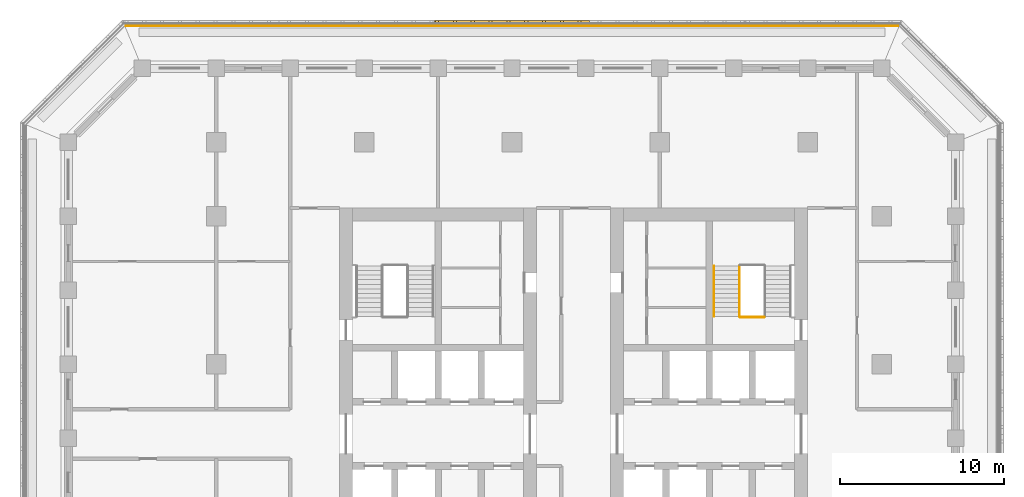
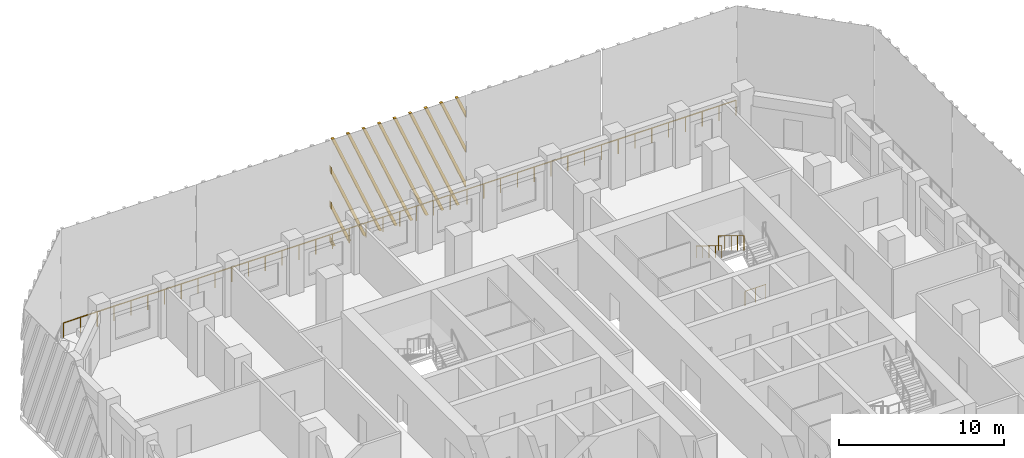
# One storey, part 14 of 16: 4 railings, 1 shading device.
"""IFC4 building model written with IfcOpenShell, lengths in metres."""

from ifc_helpers import new_model, si_unit, direction, frame, origin, origin_2d, place, context, subcontext, project, spatial, polyline, circle, outline, extrude, source, transform, mapped, material, type_object, element, save


model = new_model("IFC4")

# Units and contexts
model_context = context("Model", 3, precision=1e-05, world=origin(), true_north=direction((0.0, 1.0)))
body_context = subcontext(model_context, "Body", "Model", "MODEL_VIEW")
ifc_project = project(units=[si_unit("LENGTHUNIT", "METRE"), si_unit("AREAUNIT", "SQUARE_METRE"), si_unit("VOLUMEUNIT", "CUBIC_METRE"), si_unit("PLANEANGLEUNIT", "RADIAN"), si_unit("MASSUNIT", "GRAM", prefix="KILO")], contexts=[model_context])

# Site, building, storey
site_placement = place(None, origin())
site = spatial("IfcSite", under=ifc_project, at=site_placement, CompositionType="ELEMENT")
building_placement = place(site_placement, origin())
building = spatial("IfcBuilding", under=site, at=building_placement, Name="Corbel Stack Research Tower", CompositionType="ELEMENT")
storey_placement = place(building_placement, frame((0.0, 0.0, 173.199951171875)))
storey = spatial("IfcBuildingStorey", under=building, at=storey_placement, Name="L39", CompositionType="ELEMENT", Elevation=173.199951171875)

# Railings
ifc_material_1 = material(Name="Steel S355", Category="steel")
railing_type_1 = type_object("IfcRailingType", Name="Stair guard 1100", PredefinedType="GUARDRAIL", material=ifc_material_1)
railing_1_placement = place(storey_placement, frame((13.85009765625, 14.97998046875, 2.220947265625)))
element("IfcRailing", 1, at=railing_1_placement, inside=storey, type_object=railing_type_1, Name="L39 ST-E2 stair guard 4", PredefinedType="GUARDRAIL", context=body_context, shape_type="SweptSolid", body=[
    extrude(circle(Radius=0.02392578125, at=origin_2d()), frame((0.0, 0.0, 1.076171875), z_axis=(0.0, -0.853666305674, 0.52082035152), x_axis=(1.0, 0.0, 0.0)), (0.0, 0.0, 1.0), 3.608154296875),
    extrude(circle(Radius=0.02099609375, at=origin_2d()), origin(), (0.0, 0.0, 1.0), 1.052001953125),
    extrude(circle(Radius=0.02099609375, at=origin_2d()), frame((0.0, -0.77001953125, 0.4697265625)), (0.0, 0.0, 1.0), 1.052001953125),
    extrude(circle(Radius=0.02099609375, at=origin_2d()), frame((0.0, -1.5400390625, 0.939453125)), (0.0, 0.0, 1.0), 1.052001953125),
    extrude(circle(Radius=0.02099609375, at=origin_2d()), frame((0.0, -2.31005859375, 1.409423828125)), (0.0, 0.0, 1.0), 1.052001953125),
    extrude(circle(Radius=0.02099609375, at=origin_2d()), frame((0.0, -3.080078125, 1.879150390625)), (0.0, 0.0, 1.0), 1.052001953125),
])
railing_2_placement = place(storey_placement, frame((15.35009765625, 11.85009765625, 0.0)))
element("IfcRailing", 2, at=railing_2_placement, inside=storey, type_object=railing_type_1, Name="L39 ST-E2 stair guard 5", PredefinedType="GUARDRAIL", context=body_context, shape_type="SweptSolid", body=[
    extrude(circle(Radius=0.02392578125, at=origin_2d()), frame((0.0, 0.0, 1.076171875), z_axis=(-1.0, 0.0, 0.0), x_axis=(0.0, -1.0, 0.0)), (0.0, 0.0, 1.0), 1.4501953125),
    extrude(circle(Radius=0.02099609375, at=origin_2d()), origin(), (0.0, 0.0, 1.0), 1.052001953125),
    extrude(circle(Radius=0.02099609375, at=origin_2d()), frame((-0.72509765625, 0.0, 0.0)), (0.0, 0.0, 1.0), 1.052001953125),
    extrude(circle(Radius=0.02099609375, at=origin_2d()), frame((-1.4501953125, 0.0, 0.0)), (0.0, 0.0, 1.0), 1.052001953125),
])
ifc_material_2 = material(Name="Steel S355", Category="steel")
railing_type_2 = type_object("IfcRailingType", Name="Stair handrail 900", PredefinedType="HANDRAIL", material=ifc_material_2)
railing_3_placement = place(storey_placement, frame((12.300048828125, 14.97998046875, 2.220947265625)))
element("IfcRailing", 3, at=railing_3_placement, inside=storey, type_object=railing_type_2, Name="L39 ST-E2 stair handrail 2", PredefinedType="HANDRAIL", context=body_context, shape_type="SweptSolid", body=[
    extrude(circle(Radius=0.02392578125, at=origin_2d()), frame((0.0, 0.0, 0.8759765625), z_axis=(0.0, -0.853666305674, 0.52082035152), x_axis=(1.0, 0.0, 0.0)), (0.0, 0.0, 1.0), 3.608154296875),
    extrude(circle(Radius=0.02099609375, at=origin_2d()), origin(), (0.0, 0.0, 1.0), 0.851806640625),
    extrude(circle(Radius=0.02099609375, at=origin_2d()), frame((0.0, -0.77001953125, 0.4697265625)), (0.0, 0.0, 1.0), 0.851806640625),
    extrude(circle(Radius=0.02099609375, at=origin_2d()), frame((0.0, -1.5400390625, 0.939453125)), (0.0, 0.0, 1.0), 0.851806640625),
    extrude(circle(Radius=0.02099609375, at=origin_2d()), frame((0.0, -2.31005859375, 1.409423828125)), (0.0, 0.0, 1.0), 0.851806640625),
    extrude(circle(Radius=0.02099609375, at=origin_2d()), frame((0.0, -3.080078125, 1.879150390625)), (0.0, 0.0, 1.0), 0.851806640625),
])
ifc_material_3 = material(Name="Powder-coated steel guard", Category="steel")
railing_type_3 = type_object("IfcRailingType", Name="Steel and glass guard 1100", PredefinedType="GUARDRAIL", material=ifc_material_3)
railing_4_placement = place(storey_placement, frame((23.50537109375, 29.60009765625, 0.0)))
element("IfcRailing", 4, at=railing_4_placement, inside=storey, type_object=railing_type_3, Name="Loggia guard L39 N", PredefinedType="GUARDRAIL", context=body_context, shape_type="SweptSolid", body=[
    extrude(circle(Radius=0.02392578125, at=origin_2d()), frame((0.0, 0.0, 1.076171875), z_axis=(-1.0, 0.0, 0.0), x_axis=(0.0, -1.0, 0.0)), (0.0, 0.0, 1.0), 47.0107421875),
    extrude(circle(Radius=0.02099609375, at=origin_2d()), origin(), (0.0, 0.0, 1.0), 1.052001953125),
    extrude(circle(Radius=0.02099609375, at=origin_2d()), frame((-1.17529296875, 0.0, 0.0)), (0.0, 0.0, 1.0), 1.052001953125),
    extrude(circle(Radius=0.02099609375, at=origin_2d()), frame((-2.3505859375, 0.0, 0.0)), (0.0, 0.0, 1.0), 1.052001953125),
    extrude(circle(Radius=0.02099609375, at=origin_2d()), frame((-3.52587890625, 0.0, 0.0)), (0.0, 0.0, 1.0), 1.052001953125),
    extrude(circle(Radius=0.02099609375, at=origin_2d()), frame((-4.701171875, 0.0, 0.0)), (0.0, 0.0, 1.0), 1.052001953125),
    extrude(circle(Radius=0.02099609375, at=origin_2d()), frame((-5.87646484375, 0.0, 0.0)), (0.0, 0.0, 1.0), 1.052001953125),
    extrude(circle(Radius=0.02099609375, at=origin_2d()), frame((-7.051513671875, 0.0, 0.0)), (0.0, 0.0, 1.0), 1.052001953125),
    extrude(circle(Radius=0.02099609375, at=origin_2d()), frame((-8.226806640625, 0.0, 0.0)), (0.0, 0.0, 1.0), 1.052001953125),
    extrude(circle(Radius=0.02099609375, at=origin_2d()), frame((-9.402099609375, 0.0, 0.0)), (0.0, 0.0, 1.0), 1.052001953125),
    extrude(circle(Radius=0.02099609375, at=origin_2d()), frame((-10.577392578125, 0.0, 0.0)), (0.0, 0.0, 1.0), 1.052001953125),
    extrude(circle(Radius=0.02099609375, at=origin_2d()), frame((-11.752685546875, 0.0, 0.0)), (0.0, 0.0, 1.0), 1.052001953125),
    extrude(circle(Radius=0.02099609375, at=origin_2d()), frame((-12.927978515625, 0.0, 0.0)), (0.0, 0.0, 1.0), 1.052001953125),
    extrude(circle(Radius=0.02099609375, at=origin_2d()), frame((-14.103271484375, 0.0, 0.0)), (0.0, 0.0, 1.0), 1.052001953125),
    extrude(circle(Radius=0.02099609375, at=origin_2d()), frame((-15.278564453125, 0.0, 0.0)), (0.0, 0.0, 1.0), 1.052001953125),
    extrude(circle(Radius=0.02099609375, at=origin_2d()), frame((-16.453857421875, 0.0, 0.0)), (0.0, 0.0, 1.0), 1.052001953125),
    extrude(circle(Radius=0.02099609375, at=origin_2d()), frame((-17.62890625, 0.0, 0.0)), (0.0, 0.0, 1.0), 1.052001953125),
    extrude(circle(Radius=0.02099609375, at=origin_2d()), frame((-18.80419921875, 0.0, 0.0)), (0.0, 0.0, 1.0), 1.052001953125),
    extrude(circle(Radius=0.02099609375, at=origin_2d()), frame((-19.9794921875, 0.0, 0.0)), (0.0, 0.0, 1.0), 1.052001953125),
    extrude(circle(Radius=0.02099609375, at=origin_2d()), frame((-21.15478515625, 0.0, 0.0)), (0.0, 0.0, 1.0), 1.052001953125),
    extrude(circle(Radius=0.02099609375, at=origin_2d()), frame((-22.330078125, 0.0, 0.0)), (0.0, 0.0, 1.0), 1.052001953125),
    extrude(circle(Radius=0.02099609375, at=origin_2d()), frame((-23.50537109375, 0.0, 0.0)), (0.0, 0.0, 1.0), 1.052001953125),
    extrude(circle(Radius=0.02099609375, at=origin_2d()), frame((-24.6806640625, 0.0, 0.0)), (0.0, 0.0, 1.0), 1.052001953125),
    extrude(circle(Radius=0.02099609375, at=origin_2d()), frame((-25.85595703125, 0.0, 0.0)), (0.0, 0.0, 1.0), 1.052001953125),
    extrude(circle(Radius=0.02099609375, at=origin_2d()), frame((-27.03125, 0.0, 0.0)), (0.0, 0.0, 1.0), 1.052001953125),
    extrude(circle(Radius=0.02099609375, at=origin_2d()), frame((-28.20654296875, 0.0, 0.0)), (0.0, 0.0, 1.0), 1.052001953125),
    extrude(circle(Radius=0.02099609375, at=origin_2d()), frame((-29.3818359375, 0.0, 0.0)), (0.0, 0.0, 1.0), 1.052001953125),
    extrude(circle(Radius=0.02099609375, at=origin_2d()), frame((-30.556884765625, 0.0, 0.0)), (0.0, 0.0, 1.0), 1.052001953125),
    extrude(circle(Radius=0.02099609375, at=origin_2d()), frame((-31.732177734375, 0.0, 0.0)), (0.0, 0.0, 1.0), 1.052001953125),
    extrude(circle(Radius=0.02099609375, at=origin_2d()), frame((-32.907470703125, 0.0, 0.0)), (0.0, 0.0, 1.0), 1.052001953125),
    extrude(circle(Radius=0.02099609375, at=origin_2d()), frame((-34.082763671875, 0.0, 0.0)), (0.0, 0.0, 1.0), 1.052001953125),
    extrude(circle(Radius=0.02099609375, at=origin_2d()), frame((-35.258056640625, 0.0, 0.0)), (0.0, 0.0, 1.0), 1.052001953125),
    extrude(circle(Radius=0.02099609375, at=origin_2d()), frame((-36.433349609375, 0.0, 0.0)), (0.0, 0.0, 1.0), 1.052001953125),
    extrude(circle(Radius=0.02099609375, at=origin_2d()), frame((-37.608642578125, 0.0, 0.0)), (0.0, 0.0, 1.0), 1.052001953125),
    extrude(circle(Radius=0.02099609375, at=origin_2d()), frame((-38.783935546875, 0.0, 0.0)), (0.0, 0.0, 1.0), 1.052001953125),
    extrude(circle(Radius=0.02099609375, at=origin_2d()), frame((-39.959228515625, 0.0, 0.0)), (0.0, 0.0, 1.0), 1.052001953125),
    extrude(circle(Radius=0.02099609375, at=origin_2d()), frame((-41.13427734375, 0.0, 0.0)), (0.0, 0.0, 1.0), 1.052001953125),
    extrude(circle(Radius=0.02099609375, at=origin_2d()), frame((-42.3095703125, 0.0, 0.0)), (0.0, 0.0, 1.0), 1.052001953125),
    extrude(circle(Radius=0.02099609375, at=origin_2d()), frame((-43.48486328125, 0.0, 0.0)), (0.0, 0.0, 1.0), 1.052001953125),
    extrude(circle(Radius=0.02099609375, at=origin_2d()), frame((-44.66015625, 0.0, 0.0)), (0.0, 0.0, 1.0), 1.052001953125),
    extrude(circle(Radius=0.02099609375, at=origin_2d()), frame((-45.83544921875, 0.0, 0.0)), (0.0, 0.0, 1.0), 1.052001953125),
    extrude(circle(Radius=0.02099609375, at=origin_2d()), frame((-47.0107421875, 0.0, 0.0)), (0.0, 0.0, 1.0), 1.052001953125),
])

# Shading device
ifc_material_4 = material(Name="Precast terracotta", Category="masonry")
shading_device_type = type_object("IfcShadingDeviceType", Name="Terracotta screen panel", PredefinedType="USERDEFINED", material=ifc_material_4)
shared_shape = source(origin(), body_context, "Body", "SweptSolid", [
    extrude(outline(polyline([(0.70361328125, 7.949951171875), (0.513427734375, 7.949951171875), (0.0, 6.720458984375), (0.0, 6.265380859375), (0.70361328125, 7.949951171875)])), frame((0.0, 0.0, 0.0), z_axis=(0.0, -1.0, 0.0), x_axis=(1.0, 0.0, 0.0)), (0.0, 0.0, 1.0), 0.179931640625),
    extrude(outline(polyline([(1.7880859375, 7.949951171875), (1.59814453125, 7.949951171875), (0.0, 4.123291015625), (0.0, 3.668212890625), (1.7880859375, 7.949951171875)])), frame((0.0, 0.0, 0.0), z_axis=(0.0, -1.0, 0.0), x_axis=(1.0, 0.0, 0.0)), (0.0, 0.0, 1.0), 0.179931640625),
    extrude(outline(polyline([(2.872802734375, 7.949951171875), (2.682861328125, 7.949951171875), (0.0, 1.526123046875), (0.0, 1.071044921875), (2.872802734375, 7.949951171875)])), frame((0.0, 0.0, 0.0), z_axis=(0.0, -1.0, 0.0), x_axis=(1.0, 0.0, 0.0)), (0.0, 0.0, 1.0), 0.179931640625),
    extrude(outline(polyline([(0.63720703125, 0.0), (3.95751953125, 7.949951171875), (3.767578125, 7.949951171875), (0.447265625, 0.0), (0.63720703125, 0.0)])), frame((0.0, 0.0, 0.0), z_axis=(0.0, -1.0, 0.0), x_axis=(1.0, 0.0, 0.0)), (0.0, 0.0, 1.0), 0.179931640625),
    extrude(outline(polyline([(1.721923828125, 0.0), (5.042236328125, 7.949951171875), (4.852294921875, 7.949951171875), (1.531982421875, 0.0), (1.721923828125, 0.0)])), frame((0.0, 0.0, 0.0), z_axis=(0.0, -1.0, 0.0), x_axis=(1.0, 0.0, 0.0)), (0.0, 0.0, 1.0), 0.179931640625),
    extrude(outline(polyline([(2.806640625, 0.0), (6.126708984375, 7.949951171875), (5.936767578125, 7.949951171875), (2.61669921875, 0.0), (2.806640625, 0.0)])), frame((0.0, 0.0, 0.0), z_axis=(0.0, -1.0, 0.0), x_axis=(1.0, 0.0, 0.0)), (0.0, 0.0, 1.0), 0.179931640625),
    extrude(outline(polyline([(3.891357421875, 0.0), (7.21142578125, 7.949951171875), (7.021484375, 7.949951171875), (3.701416015625, 0.0), (3.891357421875, 0.0)])), frame((0.0, 0.0, 0.0), z_axis=(0.0, -1.0, 0.0), x_axis=(1.0, 0.0, 0.0)), (0.0, 0.0, 1.0), 0.179931640625),
    extrude(outline(polyline([(4.97607421875, 0.0), (8.296142578125, 7.949951171875), (8.106201171875, 7.949951171875), (4.785888671875, 0.0), (4.97607421875, 0.0)])), frame((0.0, 0.0, 0.0), z_axis=(0.0, -1.0, 0.0), x_axis=(1.0, 0.0, 0.0)), (0.0, 0.0, 1.0), 0.179931640625),
    extrude(outline(polyline([(6.060791015625, 0.0), (9.380859375, 7.949951171875), (9.19091796875, 7.949951171875), (5.87060546875, 0.0), (6.060791015625, 0.0)])), frame((0.0, 0.0, 0.0), z_axis=(0.0, -1.0, 0.0), x_axis=(1.0, 0.0, 0.0)), (0.0, 0.0, 1.0), 0.179931640625),
    extrude(outline(polyline([(7.145263671875, 0.0), (9.45556640625, 5.531982421875), (9.45556640625, 5.98681640625), (6.955322265625, 0.0), (7.145263671875, 0.0)])), frame((0.0, 0.0, 0.0), z_axis=(0.0, -1.0, 0.0), x_axis=(1.0, 0.0, 0.0)), (0.0, 0.0, 1.0), 0.179931640625),
    extrude(outline(polyline([(8.22998046875, 0.0), (9.45556640625, 2.934814453125), (9.45556640625, 3.3896484375), (8.0400390625, 0.0), (8.22998046875, 0.0)])), frame((0.0, 0.0, 0.0), z_axis=(0.0, -1.0, 0.0), x_axis=(1.0, 0.0, 0.0)), (0.0, 0.0, 1.0), 0.179931640625),
    extrude(outline(polyline([(9.314697265625, 0.0), (9.45556640625, 0.337646484375), (9.45556640625, 0.79248046875), (9.124755859375, 0.0), (9.314697265625, 0.0)])), frame((0.0, 0.0, 0.0), z_axis=(0.0, -1.0, 0.0), x_axis=(1.0, 0.0, 0.0)), (0.0, 0.0, 1.0), 0.179931640625),
])
shading_device_placement = place(storey_placement, frame((4.727783203125, 29.75, 0.0), z_axis=(0.0, 0.0, 1.0), x_axis=(-1.0, 0.0, 0.0)))
element("IfcShadingDevice", 5, at=shading_device_placement, inside=storey, type_object=shading_device_type, Name="Terracotta screen L39 N3", ObjectType="SCREEN", PredefinedType="USERDEFINED", context=body_context, shape_type="MappedRepresentation", body=[
    mapped(shared_shape, transform((0.0, 0.0, 0.0))),
])

save(model, "model.ifc")
